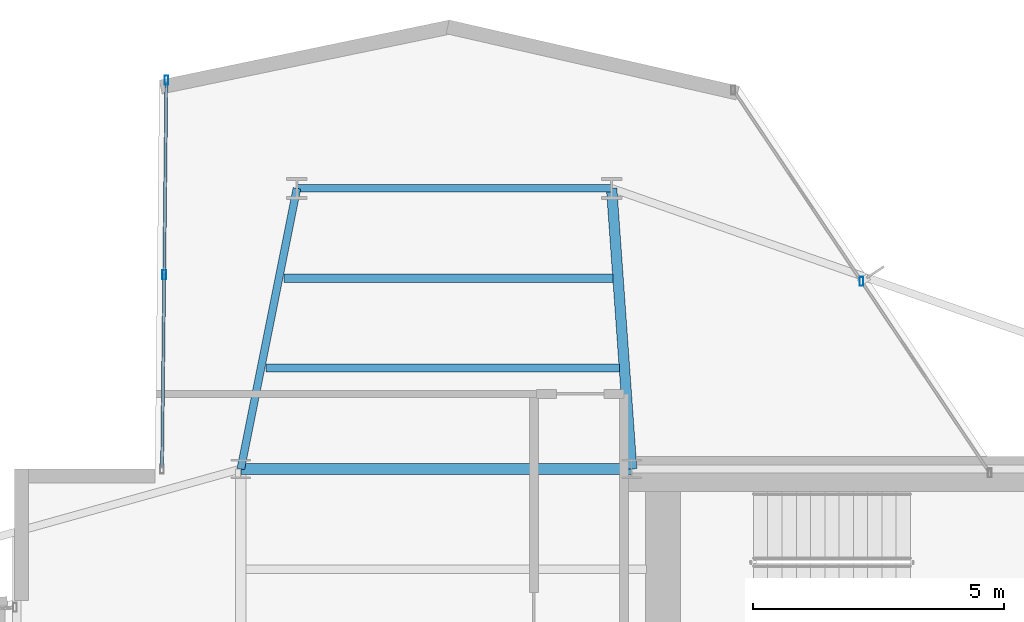
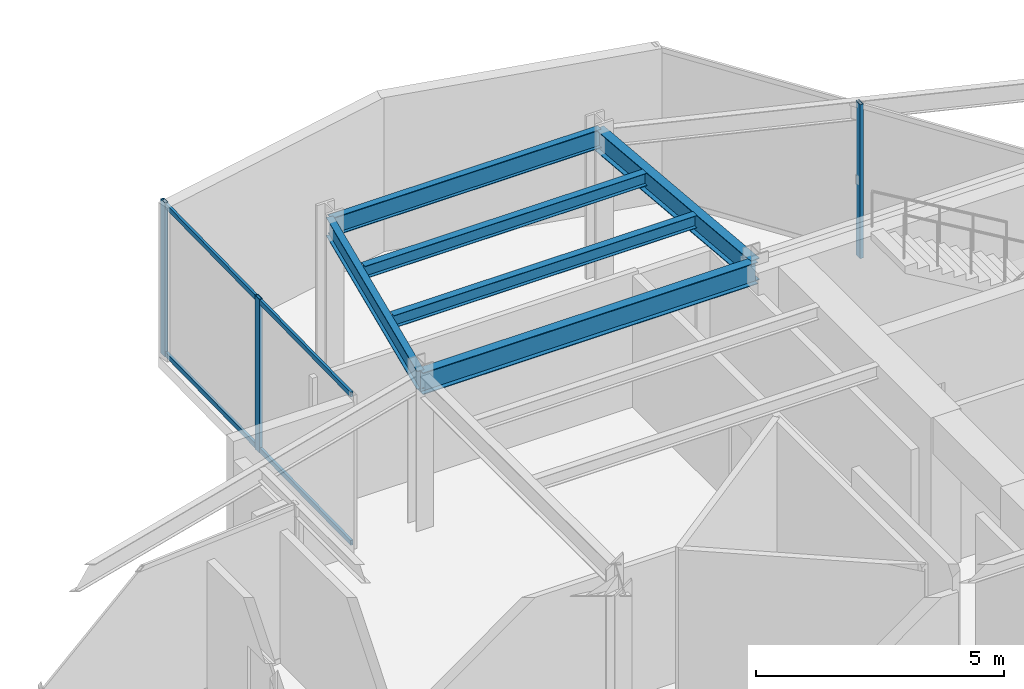
# One storey, part 12 of 22: 6 beams, 5 members, 2 elements without a shape of their own.
"""IFC4 building model written with IfcOpenShell, lengths in metres."""

from ifc_helpers import new_model, si_unit, direction, frame, origin, origin_2d, place, context, subcontext, project, spatial, hollow_rectangle, i_section, extrude, material, layer, layer_set, material_profile, profile_set, type_object, element, aggregate, save


model = new_model("IFC4")

# Units and contexts
model_context = context("Model", 3, precision=1e-05, world=origin(), true_north=direction((0.0, 1.0)))
body_context = subcontext(model_context, "Body", "Model", "MODEL_VIEW")
ifc_project = project(units=[si_unit("LENGTHUNIT", "METRE"), si_unit("AREAUNIT", "SQUARE_METRE"), si_unit("VOLUMEUNIT", "CUBIC_METRE"), si_unit("PLANEANGLEUNIT", "RADIAN"), si_unit("MASSUNIT", "GRAM", prefix="KILO")], contexts=[model_context])

# Site, building, storey
site_placement = place(None, origin())
site = spatial("IfcSite", under=ifc_project, at=site_placement, CompositionType="ELEMENT")
building_placement = place(site_placement, origin())
building = spatial("IfcBuilding", under=site, at=building_placement, Name="Veymaron Broadcast Tower", CompositionType="ELEMENT")
storey_placement = place(building_placement, frame((0.0, 0.0, 208.050048828125)))
storey = spatial("IfcBuildingStorey", under=building, at=storey_placement, Name="L48", CompositionType="ELEMENT", Elevation=208.050048828125)

# Beams
ifc_material_1 = material(Name="Structural steel ASTM A992 Gr 50", Category="steel")
ifc_material_profile_1 = material_profile(ifc_material_1, i_section(OverallWidth=0.2099609375, OverallDepth=0.537109375, WebThickness=0.010986328125, FlangeThickness=0.017333984375, at=origin_2d()), Name="W530X101")
ifc_profile_set_1 = profile_set([ifc_material_profile_1], Name="Structural steel ASTM A992 Gr 50")
beam_type_1 = type_object("IfcBeamType", Name="BM-FG3", PredefinedType="BEAM", material=ifc_profile_set_1)
beam_1_placement = place(storey_placement, frame((31.199951171875, 32.0, 3.521484375), z_axis=(1.0, 0.0, 0.0), x_axis=(0.0, 1.0, 0.0)))
element("IfcBeam", 1, at=beam_1_placement, inside=storey, type_object=beam_type_1, Name="L48 primary structural floor girder", PredefinedType="BEAM", context=body_context, shape_type="SweptSolid", body=[
    extrude(i_section(OverallWidth=0.2099609375, OverallDepth=0.537109375, WebThickness=0.010986328125, FlangeThickness=0.017333984375, at=origin_2d()), origin(), (0.0, 0.0, 1.0), 7.800048828125),
])
beam_2_placement = place(storey_placement, frame((39.0, 32.0, 3.521484375), z_axis=(-0.071228508128, 0.997460024076, 0.0), x_axis=(-0.997460024076, -0.071228508128, 0.0)))
element("IfcBeam", 2, at=beam_2_placement, inside=storey, type_object=beam_type_1, Name="L48 primary structural floor girder", PredefinedType="BEAM", context=body_context, shape_type="SweptSolid", body=[
    extrude(i_section(OverallWidth=0.2099609375, OverallDepth=0.537109375, WebThickness=0.010986328125, FlangeThickness=0.017333984375, at=origin_2d()), origin(), (0.0, 0.0, 1.0), 5.6142578125),
])
ifc_material_profile_2 = material_profile(ifc_material_1, i_section(OverallWidth=0.1650390625, OverallDepth=0.31005859375, WebThickness=0.005859375, FlangeThickness=0.009765625, at=origin_2d()), Name="W310X39")
ifc_profile_set_2 = profile_set([ifc_material_profile_2], Name="Structural steel ASTM A992 Gr 50")
beam_type_2 = type_object("IfcBeamType", Name="BM-JS3", PredefinedType="JOIST", material=ifc_profile_set_2)
beam_3_placement = place(storey_placement, frame((31.703125, 34.01611328125, 3.635009765625), z_axis=(1.0, 0.0, 0.0), x_axis=(0.0, 1.0, 0.0)))
element("IfcBeam", 3, at=beam_3_placement, inside=storey, type_object=beam_type_2, Name="L48 Arm-B secondary joist 1", PredefinedType="JOIST", context=body_context, shape_type="SweptSolid", body=[
    extrude(i_section(OverallWidth=0.1650390625, OverallDepth=0.31005859375, WebThickness=0.005859375, FlangeThickness=0.009765625, at=origin_2d()), origin(), (0.0, 0.0, 1.0), 7.052978515625),
])
beam_4_placement = place(storey_placement, frame((32.0615234375, 35.80810546875, 3.635009765625), z_axis=(1.0, 0.0, 0.0), x_axis=(0.0, 1.0, 0.0)))
element("IfcBeam", 4, at=beam_4_placement, inside=storey, type_object=beam_type_2, Name="L48 Arm-B secondary joist 2", PredefinedType="JOIST", context=body_context, shape_type="SweptSolid", body=[
    extrude(i_section(OverallWidth=0.1650390625, OverallDepth=0.31005859375, WebThickness=0.005859375, FlangeThickness=0.009765625, at=origin_2d()), origin(), (0.0, 0.0, 1.0), 6.56640625),
])
ifc_material_profile_3 = material_profile(ifc_material_1, i_section(OverallWidth=0.154052734375, OverallDepth=0.458984375, WebThickness=0.009033203125, FlangeThickness=0.015380859375, at=origin_2d()), Name="W460X68")
ifc_profile_set_3 = profile_set([ifc_material_profile_3], Name="Structural steel ASTM A992 Gr 50")
beam_type_3 = type_object("IfcBeamType", Name="BM-SP2", PredefinedType="SPANDREL", material=ifc_profile_set_3)
beam_5_placement = place(storey_placement, frame((31.199951171875, 32.0, 3.560546875), z_axis=(0.196132577048, 0.980577387166, 0.0), x_axis=(-0.980577387166, 0.196132577048, 0.0)))
element("IfcBeam", 5, at=beam_5_placement, inside=storey, type_object=beam_type_3, Name="L48 primary structural floor girder", PredefinedType="SPANDREL", context=body_context, shape_type="SweptSolid", body=[
    extrude(i_section(OverallWidth=0.154052734375, OverallDepth=0.458984375, WebThickness=0.009033203125, FlangeThickness=0.015380859375, at=origin_2d()), origin(), (0.0, 0.0, 1.0), 5.7109375),
])
beam_6_placement = place(storey_placement, frame((32.320068359375, 37.60009765625, 3.560546875), z_axis=(1.0, 0.0, 0.0), x_axis=(0.0, 1.0, 0.0)))
element("IfcBeam", 6, at=beam_6_placement, inside=storey, type_object=beam_type_3, Name="L48 primary structural floor girder", PredefinedType="SPANDREL", context=body_context, shape_type="SweptSolid", body=[
    extrude(i_section(OverallWidth=0.154052734375, OverallDepth=0.458984375, WebThickness=0.009033203125, FlangeThickness=0.015380859375, at=origin_2d()), origin(), (0.0, 0.0, 1.0), 6.280029296875),
])

# Curtain wall, member
ifc_material_2 = material(Name="Anodised aluminium AA 6063-T6 and laminated low-E dark glass", Category="aluminium")
ifc_layer = layer(ifc_material_2, 0.179931640625)
ifc_layer_set = layer_set([ifc_layer], Name="Anodised aluminium AA 6063-T6 and laminated low-E dark glass")
curtain_wall_type = type_object("IfcCurtainWallType", Name="CW-SYS-05", PredefinedType="NOTDEFINED", material=ifc_layer_set)
curtain_wall_1_placement = place(storey_placement, origin())
curtain_wall_1 = element("IfcCurtainWall", 7, at=curtain_wall_1_placement, inside=storey, type_object=curtain_wall_type, Name="L48 dark-glass curtain wall CW-L48-E5-1", PredefinedType="NOTDEFINED")
ifc_material_3 = material(Name="Anodised aluminium AA 6063-T6", Category="aluminium")
ifc_material_profile_4 = material_profile(ifc_material_3, hollow_rectangle(XDim=0.074951171875, YDim=0.179931640625, WallThickness=0.0048828125, at=origin_2d()), Name="AL180X75X5")
ifc_profile_set_4 = profile_set([ifc_material_profile_4], Name="Anodised aluminium AA 6063-T6")
member_type_1 = type_object("IfcMemberType", Name="CW-MUL-02", PredefinedType="MULLION", material=ifc_profile_set_4)
member_1_placement = place(storey_placement, frame((43.587890625, 35.7421875, 0.0), z_axis=(0.0, 0.0, 1.0), x_axis=(1.0, 0.0, 0.0)))
member_1 = element("IfcMember", 8, at=member_1_placement, type_object=member_type_1, Name="CW-L48-E5-1 mullion 1", PredefinedType="MULLION", context=body_context, shape_type="SweptSolid", body=[
    extrude(hollow_rectangle(XDim=0.074951171875, YDim=0.179931640625, WallThickness=0.0048828125, at=origin_2d()), origin(), (0.0, 0.0, 1.0), 3.7900390625),
])
aggregate(curtain_wall_1, [member_1])

# Curtain wall, members
curtain_wall_2_placement = place(storey_placement, origin())
curtain_wall_2 = element("IfcCurtainWall", 9, at=curtain_wall_2_placement, inside=storey, type_object=curtain_wall_type, Name="L48 dark-glass curtain wall CW-L48-E8-1", PredefinedType="NOTDEFINED")
member_2_placement = place(storey_placement, frame((29.715576171875, 39.75830078125, 0.0), z_axis=(0.0, 0.0, 1.0), x_axis=(1.0, 0.0, 0.0)))
member_2 = element("IfcMember", 10, at=member_2_placement, type_object=member_type_1, Name="CW-L48-E8-1 mullion 0", PredefinedType="MULLION", context=body_context, shape_type="SweptSolid", body=[
    extrude(hollow_rectangle(XDim=0.074951171875, YDim=0.179931640625, WallThickness=0.0048828125, at=origin_2d()), origin(), (0.0, 0.0, 1.0), 3.7900390625),
])
member_3_placement = place(storey_placement, frame((29.672119140625, 35.87841796875, 0.0), z_axis=(0.0, 0.0, 1.0), x_axis=(1.0, 0.0, 0.0)))
member_3 = element("IfcMember", 11, at=member_3_placement, type_object=member_type_1, Name="CW-L48-E8-1 mullion 1", PredefinedType="MULLION", context=body_context, shape_type="SweptSolid", body=[
    extrude(hollow_rectangle(XDim=0.074951171875, YDim=0.179931640625, WallThickness=0.0048828125, at=origin_2d()), origin(), (0.0, 0.0, 1.0), 3.7900390625),
])
ifc_material_profile_5 = material_profile(ifc_material_3, hollow_rectangle(XDim=0.06005859375, YDim=0.1201171875, WallThickness=0.00390625, at=origin_2d()), Name="AL120X60X4")
ifc_profile_set_5 = profile_set([ifc_material_profile_5], Name="Anodised aluminium AA 6063-T6")
member_type_2 = type_object("IfcMemberType", Name="CW-TRN-02", PredefinedType="USERDEFINED", material=ifc_profile_set_5)
member_4_placement = place(storey_placement, frame((29.71484375, 39.70849609375, 0.070068359375), z_axis=(-0.011154328977, -0.999937788537, 0.0), x_axis=(0.999937788537, -0.011154328977, 0.0)))
member_4 = element("IfcMember", 12, at=member_4_placement, type_object=member_type_2, Name="CW-L48-E8-1 transom B", ObjectType="TRANSOM", PredefinedType="USERDEFINED", context=body_context, shape_type="SweptSolid", body=[
    extrude(hollow_rectangle(XDim=0.06005859375, YDim=0.1201171875, WallThickness=0.00390625, at=origin_2d()), origin(), (0.0, 0.0, 1.0), 7.66064453125),
])
member_5_placement = place(storey_placement, frame((29.71484375, 39.70849609375, 3.719970703125), z_axis=(-0.011154328977, -0.999937788537, 0.0), x_axis=(0.999937788537, -0.011154328977, 0.0)))
member_5 = element("IfcMember", 13, at=member_5_placement, type_object=member_type_2, Name="CW-L48-E8-1 transom T", ObjectType="TRANSOM", PredefinedType="USERDEFINED", context=body_context, shape_type="SweptSolid", body=[
    extrude(hollow_rectangle(XDim=0.06005859375, YDim=0.1201171875, WallThickness=0.00390625, at=origin_2d()), origin(), (0.0, 0.0, 1.0), 7.66064453125),
])
aggregate(curtain_wall_2, [member_2, member_3, member_4, member_5])

save(model, "model.ifc")
